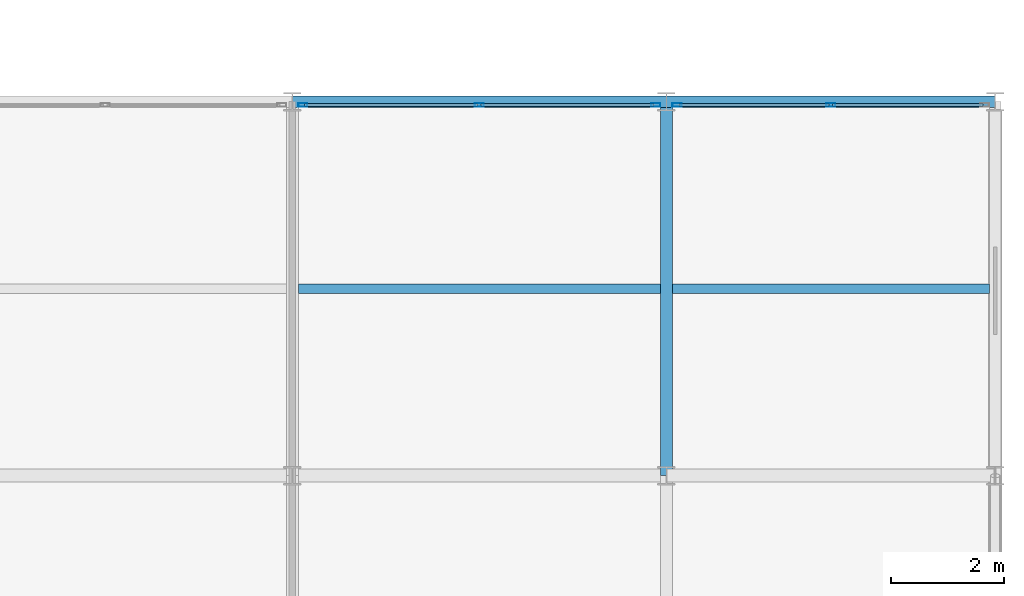
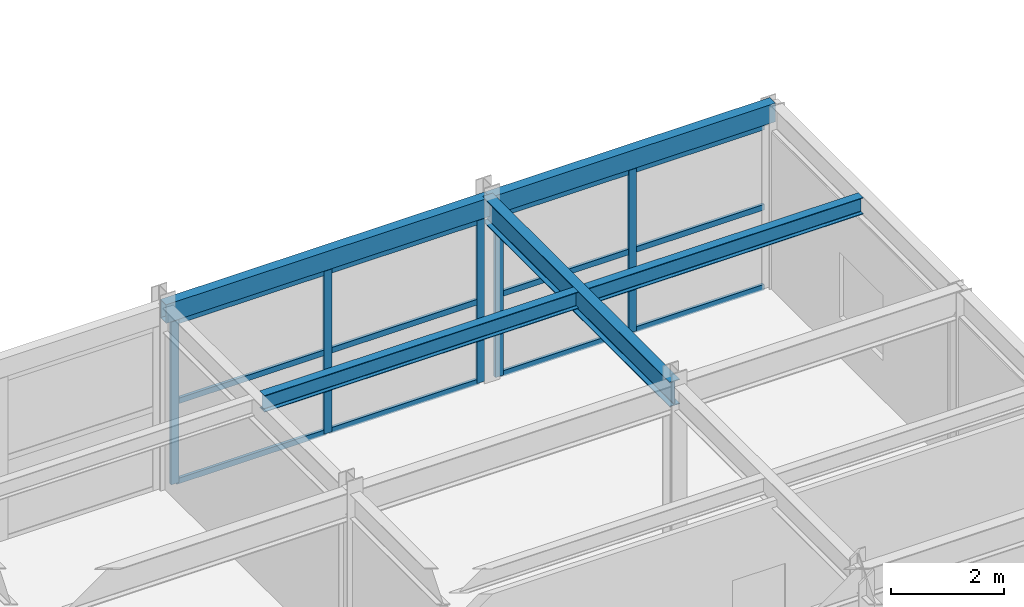
# One storey, part 88 of 134: 17 members, 5 beams, 2 elements without a shape of their own.
"""IFC4 building model written with IfcOpenShell, lengths in metres."""

from ifc_helpers import new_model, si_unit, direction, frame, origin, origin_2d, place, context, subcontext, project, spatial, hollow_rectangle, i_section, extrude, material, material_profile, profile_set, type_object, element, aggregate, save


model = new_model("IFC4")

# Units and contexts
model_context = context("Model", 3, precision=1e-05, world=origin(), true_north=direction((0.0, 1.0)))
body_context = subcontext(model_context, "Body", "Model", "MODEL_VIEW")
ifc_project = project(units=[si_unit("LENGTHUNIT", "METRE"), si_unit("AREAUNIT", "SQUARE_METRE"), si_unit("VOLUMEUNIT", "CUBIC_METRE"), si_unit("PLANEANGLEUNIT", "RADIAN"), si_unit("MASSUNIT", "GRAM", prefix="KILO")], contexts=[model_context])

# Site, building, storey
site_placement = place(None, origin())
site = spatial("IfcSite", under=ifc_project, at=site_placement, CompositionType="ELEMENT")
building_placement = place(site_placement, origin())
building = spatial("IfcBuilding", under=site, at=building_placement, Name="Karori Crest Natural Sciences Institute", CompositionType="ELEMENT")
storey_placement = place(building_placement, frame((0.0, 0.0, 21.699951171875)))
storey = spatial("IfcBuildingStorey", under=building, at=storey_placement, Name="L05", CompositionType="ELEMENT", Elevation=21.699951171875)

# Beams
ifc_material_1 = material(Name="Structural steel AS/NZS 3679.1 Grade 350", Category="steel")
ifc_material_profile_1 = material_profile(ifc_material_1, i_section(OverallWidth=0.208984375, OverallDepth=0.532958984375, WebThickness=0.01025390625, FlangeThickness=0.015625, FilletRadius=0.013916015625, at=origin_2d()), Name="530UB92.4")
ifc_profile_set_1 = profile_set([ifc_material_profile_1], Name="Structural steel AS/NZS 3679.1 Grade 350")
beam_type_1 = type_object("IfcBeamType", Name="BT-05", PredefinedType="BEAM", material=ifc_profile_set_1)
beam_1_placement = place(storey_placement, frame((156.39990234375, 14.0, 3.653564453125), z_axis=(0.0, 1.0, 0.0), x_axis=(-1.0, 0.0, 0.0)))
element("IfcBeam", 1, at=beam_1_placement, inside=storey, type_object=beam_type_1, Name="Beam B-2514", PredefinedType="BEAM", context=body_context, shape_type="SweptSolid", body=[
    extrude(i_section(OverallWidth=0.208984375, OverallDepth=0.532958984375, WebThickness=0.01025390625, FlangeThickness=0.015625, FilletRadius=0.013916015625, at=origin_2d()), origin(), (0.0, 0.0, 1.0), 6.60009765625),
])
ifc_material_profile_2 = material_profile(ifc_material_1, i_section(OverallWidth=0.172119140625, OverallDepth=0.35888671875, WebThickness=0.008056640625, FlangeThickness=0.012939453125, FilletRadius=0.010986328125, at=origin_2d()), Name="360UB56.7")
ifc_profile_set_2 = profile_set([ifc_material_profile_2], Name="Structural steel AS/NZS 3679.1 Grade 350")
beam_type_2 = type_object("IfcBeamType", Name="BT-08", PredefinedType="BEAM", material=ifc_profile_set_2)
beam_2_placement = place(storey_placement, frame((149.904541015625, 17.300048828125, 3.740478515625), z_axis=(1.0, 0.0, 0.0), x_axis=(0.0, 1.0, 0.0)))
element("IfcBeam", 2, at=beam_2_placement, inside=storey, type_object=beam_type_2, Name="Beam B-2537", PredefinedType="BEAM", context=body_context, shape_type="SweptSolid", body=[
    extrude(i_section(OverallWidth=0.172119140625, OverallDepth=0.35888671875, WebThickness=0.008056640625, FlangeThickness=0.012939453125, FilletRadius=0.010986328125, at=origin_2d()), origin(), (0.0, 0.0, 1.0), 6.390869140625),
])
beam_3_placement = place(storey_placement, frame((156.50439453125, 17.300048828125, 3.740478515625), z_axis=(1.0, 0.0, 0.0), x_axis=(0.0, 1.0, 0.0)))
element("IfcBeam", 3, at=beam_3_placement, inside=storey, type_object=beam_type_2, Name="Beam B-2540", PredefinedType="BEAM", context=body_context, shape_type="SweptSolid", body=[
    extrude(i_section(OverallWidth=0.172119140625, OverallDepth=0.35888671875, WebThickness=0.008056640625, FlangeThickness=0.012939453125, FilletRadius=0.010986328125, at=origin_2d()), origin(), (0.0, 0.0, 1.0), 5.591064453125),
])
ifc_material_2 = material(Name="Hollow structural steel AS/NZS 1163 Grade C350", Category="steel")
ifc_material_profile_3 = material_profile(ifc_material_2, hollow_rectangle(XDim=0.199951171875, YDim=0.39990234375, WallThickness=0.012451171875, at=origin_2d()), Name="RHS400x200x12.5")
ifc_profile_set_3 = profile_set([ifc_material_profile_3], Name="Hollow structural steel AS/NZS 1163 Grade C350")
beam_type_3 = type_object("IfcBeamType", Name="BT-14", PredefinedType="SPANDREL", material=ifc_profile_set_3)
beam_4_placement = place(storey_placement, frame((149.800048828125, 20.60009765625, 3.719970703125), z_axis=(1.0, 0.0, 0.0), x_axis=(0.0, 1.0, 0.0)))
element("IfcBeam", 4, at=beam_4_placement, inside=storey, type_object=beam_type_3, Name="Beam B-2486", PredefinedType="SPANDREL", context=body_context, shape_type="SweptSolid", body=[
    extrude(hollow_rectangle(XDim=0.199951171875, YDim=0.39990234375, WallThickness=0.012451171875, at=origin_2d()), origin(), (0.0, 0.0, 1.0), 6.599853515625),
])
beam_5_placement = place(storey_placement, frame((156.39990234375, 20.60009765625, 3.719970703125), z_axis=(1.0, 0.0, 0.0), x_axis=(0.0, 1.0, 0.0)))
element("IfcBeam", 5, at=beam_5_placement, inside=storey, type_object=beam_type_3, Name="Beam B-2487", PredefinedType="SPANDREL", context=body_context, shape_type="SweptSolid", body=[
    extrude(hollow_rectangle(XDim=0.199951171875, YDim=0.39990234375, WallThickness=0.012451171875, at=origin_2d()), origin(), (0.0, 0.0, 1.0), 5.800048828125),
])

# Curtain wall, members
ifc_material_3 = material(Name="Anodised architectural aluminium 6063-T6", Category="aluminium")
curtain_wall_type = type_object("IfcCurtainWallType", Name="CWT-20", PredefinedType="NOTDEFINED", material=ifc_material_3)
curtain_wall_1_placement = place(storey_placement, origin())
curtain_wall_1 = element("IfcCurtainWall", 6, at=curtain_wall_1_placement, inside=storey, type_object=curtain_wall_type, Name="Curtain wall CW-0347", PredefinedType="NOTDEFINED")
ifc_material_profile_4 = material_profile(ifc_material_3, hollow_rectangle(XDim=0.06494140625, YDim=0.159912109375, WallThickness=0.00390625, at=origin_2d()), Name="CWM160x65x4")
ifc_profile_set_4 = profile_set([ifc_material_profile_4], Name="Anodised architectural aluminium 6063-T6")
member_type_1 = type_object("IfcMemberType", Name="CWM-01", PredefinedType="MULLION", material=ifc_profile_set_4)
member_1_placement = place(storey_placement, frame((149.986083984375, 20.5400390625, 0.0), z_axis=(0.0, 0.0, 1.0), x_axis=(0.0, 1.0, 0.0)))
member_1 = element("IfcMember", 7, at=member_1_placement, type_object=member_type_1, Name="CW-0347 mullion 1", PredefinedType="MULLION", context=body_context, shape_type="SweptSolid", body=[
    extrude(hollow_rectangle(XDim=0.06494140625, YDim=0.159912109375, WallThickness=0.00390625, at=origin_2d()), origin(), (0.0, 0.0, 1.0), 3.505126953125),
])
member_2_placement = place(storey_placement, frame((153.10009765625, 20.5400390625, 0.0), z_axis=(0.0, 0.0, 1.0), x_axis=(0.0, 1.0, 0.0)))
member_2 = element("IfcMember", 8, at=member_2_placement, type_object=member_type_1, Name="CW-0347 mullion 2", PredefinedType="MULLION", context=body_context, shape_type="SweptSolid", body=[
    extrude(hollow_rectangle(XDim=0.06494140625, YDim=0.159912109375, WallThickness=0.00390625, at=origin_2d()), origin(), (0.0, 0.0, 1.0), 3.505126953125),
])
member_3_placement = place(storey_placement, frame((156.214111328125, 20.5400390625, 0.0), z_axis=(0.0, 0.0, 1.0), x_axis=(0.0, 1.0, 0.0)))
member_3 = element("IfcMember", 9, at=member_3_placement, type_object=member_type_1, Name="CW-0347 mullion 3", PredefinedType="MULLION", context=body_context, shape_type="SweptSolid", body=[
    extrude(hollow_rectangle(XDim=0.06494140625, YDim=0.159912109375, WallThickness=0.00390625, at=origin_2d()), origin(), (0.0, 0.0, 1.0), 3.505126953125),
])

curtain_wall_2_placement = place(storey_placement, origin())
curtain_wall_2 = element("IfcCurtainWall", 10, at=curtain_wall_2_placement, inside=storey, type_object=curtain_wall_type, Name="Curtain wall CW-0348", PredefinedType="NOTDEFINED")
member_4_placement = place(storey_placement, frame((156.5859375, 20.5400390625, 0.0), z_axis=(0.0, 0.0, 1.0), x_axis=(0.0, 1.0, 0.0)))
member_4 = element("IfcMember", 11, at=member_4_placement, type_object=member_type_1, Name="CW-0348 mullion 1", PredefinedType="MULLION", context=body_context, shape_type="SweptSolid", body=[
    extrude(hollow_rectangle(XDim=0.06494140625, YDim=0.159912109375, WallThickness=0.00390625, at=origin_2d()), origin(), (0.0, 0.0, 1.0), 3.505126953125),
])
member_5_placement = place(storey_placement, frame((159.300048828125, 20.5400390625, 0.0), z_axis=(0.0, 0.0, 1.0), x_axis=(0.0, 1.0, 0.0)))
member_5 = element("IfcMember", 12, at=member_5_placement, type_object=member_type_1, Name="CW-0348 mullion 2", PredefinedType="MULLION", context=body_context, shape_type="SweptSolid", body=[
    extrude(hollow_rectangle(XDim=0.06494140625, YDim=0.159912109375, WallThickness=0.00390625, at=origin_2d()), origin(), (0.0, 0.0, 1.0), 3.505126953125),
])

# Member
ifc_material_profile_5 = material_profile(ifc_material_3, hollow_rectangle(XDim=0.06005859375, YDim=0.1201171875, WallThickness=0.00390625, at=origin_2d()), Name="CWT120x60x4")
ifc_profile_set_5 = profile_set([ifc_material_profile_5], Name="Anodised architectural aluminium 6063-T6")
member_type_2 = type_object("IfcMemberType", Name="CWT-TR1", PredefinedType="USERDEFINED", material=ifc_profile_set_5)
member_6_placement = place(storey_placement, frame((150.0185546875, 20.5400390625, 0.030029296875), z_axis=(1.0, 0.0, 0.0), x_axis=(0.0, 1.0, 0.0)))
member_6 = element("IfcMember", 13, at=member_6_placement, type_object=member_type_2, Name="CW-0347 transom 1.1", ObjectType="TRANSOM", PredefinedType="USERDEFINED", context=body_context, shape_type="SweptSolid", body=[
    extrude(hollow_rectangle(XDim=0.06005859375, YDim=0.1201171875, WallThickness=0.00390625, at=origin_2d()), origin(), (0.0, 0.0, 1.0), 3.048828125),
])

member_7_placement = place(storey_placement, frame((150.0185546875, 20.5400390625, 1.75244140625), z_axis=(1.0, 0.0, 0.0), x_axis=(0.0, 1.0, 0.0)))
member_7 = element("IfcMember", 14, at=member_7_placement, type_object=member_type_2, Name="CW-0347 transom 1.2", ObjectType="TRANSOM", PredefinedType="USERDEFINED", context=body_context, shape_type="SweptSolid", body=[
    extrude(hollow_rectangle(XDim=0.06005859375, YDim=0.1201171875, WallThickness=0.00390625, at=origin_2d()), origin(), (0.0, 0.0, 1.0), 3.048828125),
])

member_8_placement = place(storey_placement, frame((150.0185546875, 20.5400390625, 3.47509765625), z_axis=(1.0, 0.0, 0.0), x_axis=(0.0, 1.0, 0.0)))
member_8 = element("IfcMember", 15, at=member_8_placement, type_object=member_type_2, Name="CW-0347 transom 1.3", ObjectType="TRANSOM", PredefinedType="USERDEFINED", context=body_context, shape_type="SweptSolid", body=[
    extrude(hollow_rectangle(XDim=0.06005859375, YDim=0.1201171875, WallThickness=0.00390625, at=origin_2d()), origin(), (0.0, 0.0, 1.0), 3.048828125),
])

member_9_placement = place(storey_placement, frame((153.132568359375, 20.5400390625, 0.030029296875), z_axis=(1.0, 0.0, 0.0), x_axis=(0.0, 1.0, 0.0)))
member_9 = element("IfcMember", 16, at=member_9_placement, type_object=member_type_2, Name="CW-0347 transom 2.1", ObjectType="TRANSOM", PredefinedType="USERDEFINED", context=body_context, shape_type="SweptSolid", body=[
    extrude(hollow_rectangle(XDim=0.06005859375, YDim=0.1201171875, WallThickness=0.00390625, at=origin_2d()), origin(), (0.0, 0.0, 1.0), 3.048828125),
])

member_10_placement = place(storey_placement, frame((153.132568359375, 20.5400390625, 1.75244140625), z_axis=(1.0, 0.0, 0.0), x_axis=(0.0, 1.0, 0.0)))
member_10 = element("IfcMember", 17, at=member_10_placement, type_object=member_type_2, Name="CW-0347 transom 2.2", ObjectType="TRANSOM", PredefinedType="USERDEFINED", context=body_context, shape_type="SweptSolid", body=[
    extrude(hollow_rectangle(XDim=0.06005859375, YDim=0.1201171875, WallThickness=0.00390625, at=origin_2d()), origin(), (0.0, 0.0, 1.0), 3.048828125),
])

member_11_placement = place(storey_placement, frame((153.132568359375, 20.5400390625, 3.47509765625), z_axis=(1.0, 0.0, 0.0), x_axis=(0.0, 1.0, 0.0)))
member_11 = element("IfcMember", 18, at=member_11_placement, type_object=member_type_2, Name="CW-0347 transom 2.3", ObjectType="TRANSOM", PredefinedType="USERDEFINED", context=body_context, shape_type="SweptSolid", body=[
    extrude(hollow_rectangle(XDim=0.06005859375, YDim=0.1201171875, WallThickness=0.00390625, at=origin_2d()), origin(), (0.0, 0.0, 1.0), 3.048828125),
])

aggregate(curtain_wall_1, [member_1, member_2, member_3, member_6, member_7, member_8, member_9, member_10, member_11])

member_12_placement = place(storey_placement, frame((156.618408203125, 20.5400390625, 0.030029296875), z_axis=(1.0, 0.0, 0.0), x_axis=(0.0, 1.0, 0.0)))
member_12 = element("IfcMember", 19, at=member_12_placement, type_object=member_type_2, Name="CW-0348 transom 1.1", ObjectType="TRANSOM", PredefinedType="USERDEFINED", context=body_context, shape_type="SweptSolid", body=[
    extrude(hollow_rectangle(XDim=0.06005859375, YDim=0.1201171875, WallThickness=0.00390625, at=origin_2d()), origin(), (0.0, 0.0, 1.0), 2.649169921875),
])

member_13_placement = place(storey_placement, frame((156.618408203125, 20.5400390625, 1.75244140625), z_axis=(1.0, 0.0, 0.0), x_axis=(0.0, 1.0, 0.0)))
member_13 = element("IfcMember", 20, at=member_13_placement, type_object=member_type_2, Name="CW-0348 transom 1.2", ObjectType="TRANSOM", PredefinedType="USERDEFINED", context=body_context, shape_type="SweptSolid", body=[
    extrude(hollow_rectangle(XDim=0.06005859375, YDim=0.1201171875, WallThickness=0.00390625, at=origin_2d()), origin(), (0.0, 0.0, 1.0), 2.649169921875),
])

member_14_placement = place(storey_placement, frame((156.618408203125, 20.5400390625, 3.47509765625), z_axis=(1.0, 0.0, 0.0), x_axis=(0.0, 1.0, 0.0)))
member_14 = element("IfcMember", 21, at=member_14_placement, type_object=member_type_2, Name="CW-0348 transom 1.3", ObjectType="TRANSOM", PredefinedType="USERDEFINED", context=body_context, shape_type="SweptSolid", body=[
    extrude(hollow_rectangle(XDim=0.06005859375, YDim=0.1201171875, WallThickness=0.00390625, at=origin_2d()), origin(), (0.0, 0.0, 1.0), 2.649169921875),
])

member_15_placement = place(storey_placement, frame((159.33251953125, 20.5400390625, 0.030029296875), z_axis=(1.0, 0.0, 0.0), x_axis=(0.0, 1.0, 0.0)))
member_15 = element("IfcMember", 22, at=member_15_placement, type_object=member_type_2, Name="CW-0348 transom 2.1", ObjectType="TRANSOM", PredefinedType="USERDEFINED", context=body_context, shape_type="SweptSolid", body=[
    extrude(hollow_rectangle(XDim=0.06005859375, YDim=0.1201171875, WallThickness=0.00390625, at=origin_2d()), origin(), (0.0, 0.0, 1.0), 2.64892578125),
])

member_16_placement = place(storey_placement, frame((159.33251953125, 20.5400390625, 1.75244140625), z_axis=(1.0, 0.0, 0.0), x_axis=(0.0, 1.0, 0.0)))
member_16 = element("IfcMember", 23, at=member_16_placement, type_object=member_type_2, Name="CW-0348 transom 2.2", ObjectType="TRANSOM", PredefinedType="USERDEFINED", context=body_context, shape_type="SweptSolid", body=[
    extrude(hollow_rectangle(XDim=0.06005859375, YDim=0.1201171875, WallThickness=0.00390625, at=origin_2d()), origin(), (0.0, 0.0, 1.0), 2.64892578125),
])

member_17_placement = place(storey_placement, frame((159.33251953125, 20.5400390625, 3.47509765625), z_axis=(1.0, 0.0, 0.0), x_axis=(0.0, 1.0, 0.0)))
member_17 = element("IfcMember", 24, at=member_17_placement, type_object=member_type_2, Name="CW-0348 transom 2.3", ObjectType="TRANSOM", PredefinedType="USERDEFINED", context=body_context, shape_type="SweptSolid", body=[
    extrude(hollow_rectangle(XDim=0.06005859375, YDim=0.1201171875, WallThickness=0.00390625, at=origin_2d()), origin(), (0.0, 0.0, 1.0), 2.64892578125),
])

aggregate(curtain_wall_2, [member_4, member_5, member_12, member_13, member_14, member_15, member_16, member_17])

save(model, "model.ifc")
